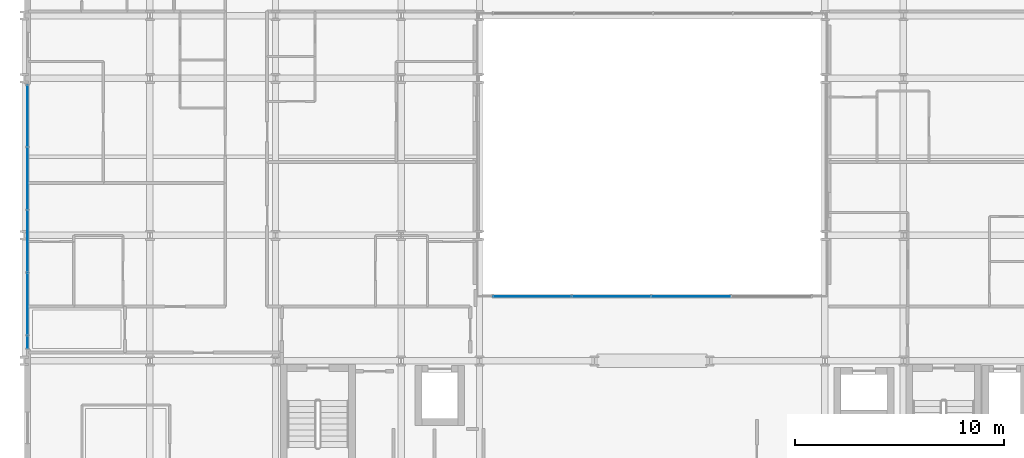
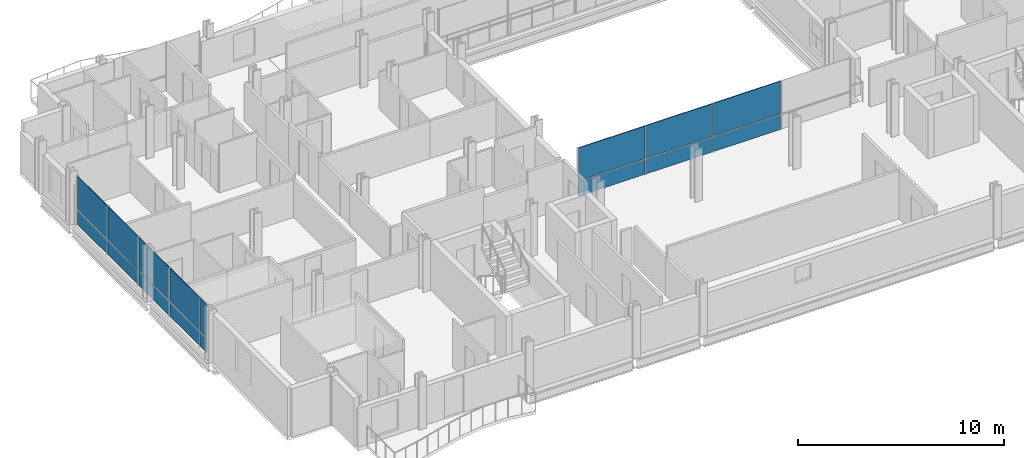
# One storey, part 26 of 41: 16 plates, 2 elements without a shape of their own.
"""IFC4 building model written with IfcOpenShell, lengths in metres."""

from ifc_helpers import new_model, si_unit, direction, frame, origin, origin_2d, place, context, subcontext, project, spatial, rectangle, extrude, material, layer, layer_set, type_object, element, aggregate, save


model = new_model("IFC4")

# Units and contexts
model_context = context("Model", 3, precision=1e-05, world=origin(), true_north=direction((0.0, 1.0)))
body_context = subcontext(model_context, "Body", "Model", "MODEL_VIEW")
ifc_project = project(units=[si_unit("LENGTHUNIT", "METRE"), si_unit("AREAUNIT", "SQUARE_METRE"), si_unit("VOLUMEUNIT", "CUBIC_METRE"), si_unit("PLANEANGLEUNIT", "RADIAN"), si_unit("MASSUNIT", "GRAM", prefix="KILO")], contexts=[model_context])

# Site, building, storey
site_placement = place(None, origin())
site = spatial("IfcSite", under=ifc_project, at=site_placement, CompositionType="ELEMENT")
building_placement = place(site_placement, origin())
building = spatial("IfcBuilding", under=site, at=building_placement, Name="Brevholm Reach", CompositionType="ELEMENT")
storey_placement = place(building_placement, frame((0.0, 0.0, 49.699951171875)))
storey = spatial("IfcBuildingStorey", under=building, at=storey_placement, Name="L13", CompositionType="ELEMENT", Elevation=49.699951171875)

# Curtain wall, plates
ifc_material_1 = material(Name="Dark Anodised Aluminium 6063-T6 and Solar-Control Glass", Category="aluminium")
ifc_layer_1 = layer(ifc_material_1, 0.14990234375)
ifc_layer_set_1 = layer_set([ifc_layer_1], Name="Dark Anodised Aluminium 6063-T6 and Solar-Control Glass")
curtain_wall_type_1 = type_object("IfcCurtainWallType", Name="CW-01", PredefinedType="NOTDEFINED", material=ifc_layer_set_1)
curtain_wall_1_placement = place(storey_placement, origin())
curtain_wall_1 = element("IfcCurtainWall", 1, at=curtain_wall_1_placement, inside=storey, type_object=curtain_wall_type_1, Name="L13 Curtain Wall CW-01", PredefinedType="NOTDEFINED")
ifc_material_2 = material(Name="Dark Solar-Control Double-Glazed IGU Glass", Category="glass")
ifc_layer_2 = layer(ifc_material_2, 0.028076171875)
ifc_layer_set_2 = layer_set([ifc_layer_2], Name="Dark Solar-Control Double-Glazed IGU Glass")
plate_type_1 = type_object("IfcPlateType", Name="CWP-GLZ-28", PredefinedType="CURTAIN_PANEL", material=ifc_layer_set_2)
plate_1_placement = place(storey_placement, frame((0.14990234375, 21.703857421875, 0.0), z_axis=(0.0, 0.0, 1.0), x_axis=(0.0, -1.0, 0.0)))
plate_1 = element("IfcPlate", 2, at=plate_1_placement, type_object=plate_type_1, Name="CP-01 Glazing Panel 1.1", PredefinedType="CURTAIN_PANEL", context=body_context, shape_type="SweptSolid", body=[
    extrude(rectangle(XDim=2.902587890625, YDim=0.028076171875, at=origin_2d()), origin(), (0.0, 0.0, 1.0), 0.867431640625),
])
plate_2_placement = place(storey_placement, frame((0.14990234375, 21.703857421875, 0.9326171875), z_axis=(0.0, 0.0, 1.0), x_axis=(0.0, -1.0, 0.0)))
plate_2 = element("IfcPlate", 3, at=plate_2_placement, type_object=plate_type_1, Name="CP-01 Glazing Panel 1.2", PredefinedType="CURTAIN_PANEL", context=body_context, shape_type="SweptSolid", body=[
    extrude(rectangle(XDim=2.902587890625, YDim=0.028076171875, at=origin_2d()), origin(), (0.0, 0.0, 1.0), 1.9375),
])
plate_3_placement = place(storey_placement, frame((0.14990234375, 18.719970703125, 0.0), z_axis=(0.0, 0.0, 1.0), x_axis=(0.0, -1.0, 0.0)))
plate_3 = element("IfcPlate", 4, at=plate_3_placement, type_object=plate_type_1, Name="CP-01 Glazing Panel 2.1", PredefinedType="CURTAIN_PANEL", context=body_context, shape_type="SweptSolid", body=[
    extrude(rectangle(XDim=2.93505859375, YDim=0.028076171875, at=origin_2d()), origin(), (0.0, 0.0, 1.0), 0.867431640625),
])
plate_4_placement = place(storey_placement, frame((0.14990234375, 18.719970703125, 0.9326171875), z_axis=(0.0, 0.0, 1.0), x_axis=(0.0, -1.0, 0.0)))
plate_4 = element("IfcPlate", 5, at=plate_4_placement, type_object=plate_type_1, Name="CP-01 Glazing Panel 2.2", PredefinedType="CURTAIN_PANEL", context=body_context, shape_type="SweptSolid", body=[
    extrude(rectangle(XDim=2.93505859375, YDim=0.028076171875, at=origin_2d()), origin(), (0.0, 0.0, 1.0), 1.9375),
])
plate_5_placement = place(storey_placement, frame((0.14990234375, 15.719970703125, 0.0), z_axis=(0.0, 0.0, 1.0), x_axis=(0.0, -1.0, 0.0)))
plate_5 = element("IfcPlate", 6, at=plate_5_placement, type_object=plate_type_1, Name="CP-01 Glazing Panel 3.1", PredefinedType="CURTAIN_PANEL", context=body_context, shape_type="SweptSolid", body=[
    extrude(rectangle(XDim=2.93505859375, YDim=0.028076171875, at=origin_2d()), origin(), (0.0, 0.0, 1.0), 0.867431640625),
])
plate_6_placement = place(storey_placement, frame((0.14990234375, 15.719970703125, 0.9326171875), z_axis=(0.0, 0.0, 1.0), x_axis=(0.0, -1.0, 0.0)))
plate_6 = element("IfcPlate", 7, at=plate_6_placement, type_object=plate_type_1, Name="CP-01 Glazing Panel 3.2", PredefinedType="CURTAIN_PANEL", context=body_context, shape_type="SweptSolid", body=[
    extrude(rectangle(XDim=2.93505859375, YDim=0.028076171875, at=origin_2d()), origin(), (0.0, 0.0, 1.0), 1.9375),
])
plate_7_placement = place(storey_placement, frame((0.14990234375, 12.719970703125, 0.0), z_axis=(0.0, 0.0, 1.0), x_axis=(0.0, -1.0, 0.0)))
plate_7 = element("IfcPlate", 8, at=plate_7_placement, type_object=plate_type_1, Name="CP-01 Glazing Panel 4.1", PredefinedType="CURTAIN_PANEL", context=body_context, shape_type="SweptSolid", body=[
    extrude(rectangle(XDim=2.93505859375, YDim=0.028076171875, at=origin_2d()), origin(), (0.0, 0.0, 1.0), 0.867431640625),
])
plate_8_placement = place(storey_placement, frame((0.14990234375, 12.719970703125, 0.9326171875), z_axis=(0.0, 0.0, 1.0), x_axis=(0.0, -1.0, 0.0)))
plate_8 = element("IfcPlate", 9, at=plate_8_placement, type_object=plate_type_1, Name="CP-01 Glazing Panel 4.2", PredefinedType="CURTAIN_PANEL", context=body_context, shape_type="SweptSolid", body=[
    extrude(rectangle(XDim=2.93505859375, YDim=0.028076171875, at=origin_2d()), origin(), (0.0, 0.0, 1.0), 1.9375),
])
plate_9_placement = place(storey_placement, frame((0.14990234375, 10.9013671875, 0.0), z_axis=(0.0, 0.0, 1.0), x_axis=(0.0, -1.0, 0.0)))
plate_9 = element("IfcPlate", 10, at=plate_9_placement, type_object=plate_type_1, Name="CP-01 Glazing Panel 5.1", PredefinedType="CURTAIN_PANEL", context=body_context, shape_type="SweptSolid", body=[
    extrude(rectangle(XDim=0.572509765625, YDim=0.028076171875, at=origin_2d()), origin(), (0.0, 0.0, 1.0), 0.867431640625),
])
plate_10_placement = place(storey_placement, frame((0.14990234375, 10.9013671875, 0.9326171875), z_axis=(0.0, 0.0, 1.0), x_axis=(0.0, -1.0, 0.0)))
plate_10 = element("IfcPlate", 11, at=plate_10_placement, type_object=plate_type_1, Name="CP-01 Glazing Panel 5.2", PredefinedType="CURTAIN_PANEL", context=body_context, shape_type="SweptSolid", body=[
    extrude(rectangle(XDim=0.572509765625, YDim=0.028076171875, at=origin_2d()), origin(), (0.0, 0.0, 1.0), 1.9375),
])
aggregate(curtain_wall_1, [plate_1, plate_2, plate_3, plate_4, plate_5, plate_6, plate_7, plate_8, plate_9, plate_10])

ifc_material_3 = material(Name="Dark Anodised Aluminium 6063-T6 and Solar-Control Glass", Category="aluminium")
ifc_layer_3 = layer(ifc_material_3, 0.139892578125)
ifc_layer_set_3 = layer_set([ifc_layer_3], Name="Dark Anodised Aluminium 6063-T6 and Solar-Control Glass")
curtain_wall_type_2 = type_object("IfcCurtainWallType", Name="CW-02", PredefinedType="NOTDEFINED", material=ifc_layer_set_3)
curtain_wall_2_placement = place(storey_placement, origin())
curtain_wall_2 = element("IfcCurtainWall", 12, at=curtain_wall_2_placement, inside=storey, type_object=curtain_wall_type_2, Name="L13 Curtain Wall CW-02", PredefinedType="NOTDEFINED")
ifc_material_4 = material(Name="Low-Iron Laminated Acoustic Glass", Category="glass")
ifc_layer_4 = layer(ifc_material_4, 0.035888671875)
ifc_layer_set_4 = layer_set([ifc_layer_4], Name="Low-Iron Laminated Acoustic Glass")
plate_type_2 = type_object("IfcPlateType", Name="CWP-GLZ-36", PredefinedType="CURTAIN_PANEL", material=ifc_layer_set_4)
plate_11_placement = place(storey_placement, frame((24.264892578125, 13.080078125, 0.0), z_axis=(0.0, 0.0, 1.0), x_axis=(1.0, 0.0, 0.0)))
plate_11 = element("IfcPlate", 13, at=plate_11_placement, type_object=plate_type_2, Name="CP-02 Glazing Panel 1.1", PredefinedType="CURTAIN_PANEL", context=body_context, shape_type="SweptSolid", body=[
    extrude(rectangle(XDim=3.7099609375, YDim=0.035888671875, at=origin_2d()), origin(), (0.0, 0.0, 1.0), 0.8701171875),
])
plate_12_placement = place(storey_placement, frame((24.264892578125, 13.080078125, 0.93017578125), z_axis=(0.0, 0.0, 1.0), x_axis=(1.0, 0.0, 0.0)))
plate_12 = element("IfcPlate", 14, at=plate_12_placement, type_object=plate_type_2, Name="CP-02 Glazing Panel 1.2", PredefinedType="CURTAIN_PANEL", context=body_context, shape_type="SweptSolid", body=[
    extrude(rectangle(XDim=3.7099609375, YDim=0.035888671875, at=origin_2d()), origin(), (0.0, 0.0, 1.0), 1.93994140625),
])
plate_13_placement = place(storey_placement, frame((28.050048828125, 13.080078125, 0.0), z_axis=(0.0, 0.0, 1.0), x_axis=(1.0, 0.0, 0.0)))
plate_13 = element("IfcPlate", 15, at=plate_13_placement, type_object=plate_type_2, Name="CP-02 Glazing Panel 2.1", PredefinedType="CURTAIN_PANEL", context=body_context, shape_type="SweptSolid", body=[
    extrude(rectangle(XDim=3.739990234375, YDim=0.035888671875, at=origin_2d()), origin(), (0.0, 0.0, 1.0), 0.8701171875),
])
plate_14_placement = place(storey_placement, frame((28.050048828125, 13.080078125, 0.93017578125), z_axis=(0.0, 0.0, 1.0), x_axis=(1.0, 0.0, 0.0)))
plate_14 = element("IfcPlate", 16, at=plate_14_placement, type_object=plate_type_2, Name="CP-02 Glazing Panel 2.2", PredefinedType="CURTAIN_PANEL", context=body_context, shape_type="SweptSolid", body=[
    extrude(rectangle(XDim=3.739990234375, YDim=0.035888671875, at=origin_2d()), origin(), (0.0, 0.0, 1.0), 1.93994140625),
])
plate_15_placement = place(storey_placement, frame((31.85009765625, 13.080078125, 0.0), z_axis=(0.0, 0.0, 1.0), x_axis=(1.0, 0.0, 0.0)))
plate_15 = element("IfcPlate", 17, at=plate_15_placement, type_object=plate_type_2, Name="CP-02 Glazing Panel 3.1", PredefinedType="CURTAIN_PANEL", context=body_context, shape_type="SweptSolid", body=[
    extrude(rectangle(XDim=3.739990234375, YDim=0.035888671875, at=origin_2d()), origin(), (0.0, 0.0, 1.0), 0.8701171875),
])
plate_16_placement = place(storey_placement, frame((31.85009765625, 13.080078125, 0.93017578125), z_axis=(0.0, 0.0, 1.0), x_axis=(1.0, 0.0, 0.0)))
plate_16 = element("IfcPlate", 18, at=plate_16_placement, type_object=plate_type_2, Name="CP-02 Glazing Panel 3.2", PredefinedType="CURTAIN_PANEL", context=body_context, shape_type="SweptSolid", body=[
    extrude(rectangle(XDim=3.739990234375, YDim=0.035888671875, at=origin_2d()), origin(), (0.0, 0.0, 1.0), 1.93994140625),
])
aggregate(curtain_wall_2, [plate_11, plate_12, plate_13, plate_14, plate_15, plate_16])

save(model, "model.ifc")
